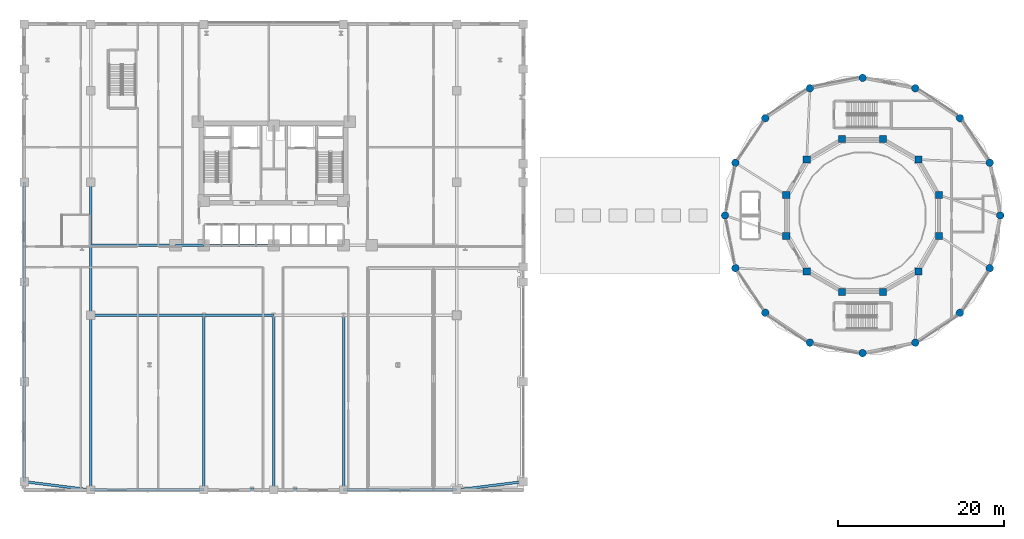
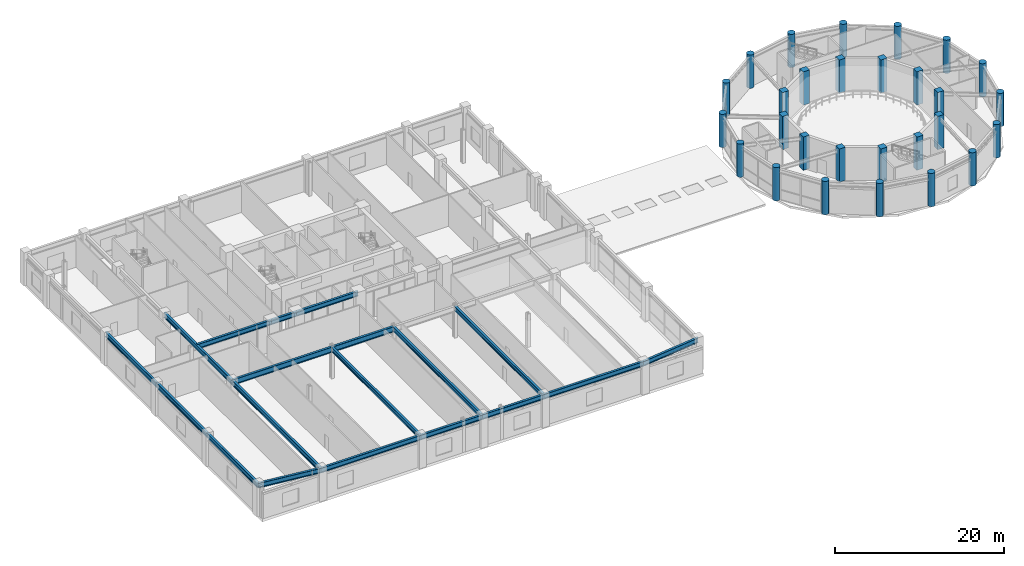
# One storey, part 2 of 34: 28 columns, 19 beams.
"""IFC4 building model written with IfcOpenShell, lengths in metres."""

from ifc_helpers import new_model, si_unit, derived_unit, direction, frame, origin, origin_2d, place, context, subcontext, project, spatial, rectangle, circle, i_section, extrude, source, transform, mapped, material, material_profile, profile_set, type_object, element, save


model = new_model("IFC4")

# Units and contexts
model_context = context("Model", 3, precision=1e-05, world=origin(), true_north=direction((0.0, 1.0)))
body_context = subcontext(model_context, "Body", "Model", "MODEL_VIEW")
ifc_project = project(units=[si_unit("LENGTHUNIT", "METRE"), si_unit("AREAUNIT", "SQUARE_METRE"), si_unit("VOLUMEUNIT", "CUBIC_METRE"), si_unit("PLANEANGLEUNIT", "RADIAN"), si_unit("MASSUNIT", "GRAM", prefix="KILO"), derived_unit("THERMALTRANSMITTANCEUNIT", [(si_unit("POWERUNIT", "WATT"), 1), (si_unit("LENGTHUNIT", "METRE"), -2), (si_unit("THERMODYNAMICTEMPERATUREUNIT", "KELVIN"), -1)])], contexts=[model_context])

# Site, building, storey
site_placement = place(None, origin())
site = spatial("IfcSite", under=ifc_project, at=site_placement, CompositionType="ELEMENT")
building_placement = place(site_placement, origin())
building = spatial("IfcBuilding", under=site, at=building_placement, Name="Korsvarv Bourse and Concert Hall", CompositionType="ELEMENT")
storey_placement = place(building_placement, frame((0.0, 0.0, 14.39990234375)))
storey = spatial("IfcBuildingStorey", under=building, at=storey_placement, Name="L03", CompositionType="ELEMENT", Elevation=14.39990234375)

# Columns
ifc_material_1 = material(Name="Concrete C50/60", Category="concrete")
ifc_material_profile_1 = material_profile(ifc_material_1, rectangle(XDim=0.85009765625, YDim=0.85009765625, at=origin_2d()), Name="RC 850x850")
ifc_profile_set_1 = profile_set([ifc_material_profile_1], Name="Concrete C50/60")
column_type_1 = type_object("IfcColumnType", Name="COL-RC850", PredefinedType="COLUMN", material=ifc_profile_set_1)
shared_shape_1 = source(origin(), body_context, "Body", "SweptSolid", [
    extrude(rectangle(XDim=0.85009765625, YDim=0.85009765625, at=origin_2d()), origin(), (0.0, 0.0, 1.0), 4.800048828125),
])
for number, where, z_axis, x_axis, name in (
    (1, (115.976318359375, 38.458740234375, 0.0), (0.0, 0.0, 1.0), (1.0, 0.0, 0.0), "L03 column C-04"),
    (2, (113.517578125, 42.717529296875, 0.0), (0.0, 0.0, 1.0), (1.0, 0.0, 0.0), "L03 column C-04"),
    (3, (109.2587890625, 45.17626953125, 0.0), (0.0, 0.0, 1.0), (1.0, 0.0, 0.0), "L03 column C-04"),
    (4, (104.34130859375, 45.17626953125, 0.0), (0.0, 0.0, 1.0), (1.0, 0.0, 0.0), "L03 column C-04"),
    (5, (100.08251953125, 42.717529296875, 0.0), (0.0, 0.0, 1.0), (1.0, 0.0, 0.0), "L03 column C-04"),
    (6, (97.623779296875, 38.458740234375, 0.0), (0.0, 0.0, 1.0), (1.0, 0.0, 0.0), "L03 column C-04"),
    (7, (97.623779296875, 33.541259765625, 0.0), (0.0, 0.0, 1.0), (1.0, 0.0, 0.0), "L03 column C-04"),
    (8, (100.08251953125, 29.282470703125, 0.0), (0.0, 0.0, 1.0), (1.0, 0.0, 0.0), "L03 column C-04"),
    (9, (104.34130859375, 26.82373046875, 0.0), (0.0, 0.0, 1.0), (1.0, 0.0, 0.0), "L03 column C-04"),
    (10, (109.2587890625, 26.82373046875, 0.0), (0.0, 0.0, 1.0), (1.0, 0.0, 0.0), "L03 column C-04"),
    (11, (113.517578125, 29.282470703125, 0.0), (0.0, 0.0, 1.0), (1.0, 0.0, 0.0), "L03 column C-04"),
    (12, (115.976318359375, 33.541259765625, 0.0), (0.0, 0.0, 1.0), (1.0, 0.0, 0.0), "L03 column C-04"),
):
    element("IfcColumn", number, at=place(storey_placement, frame(where, z_axis=z_axis, x_axis=x_axis)), inside=storey, type_object=column_type_1, Name=name, PredefinedType="COLUMN", context=body_context, shape_type="MappedRepresentation", body=[
        mapped(shared_shape_1, transform((0.0, 0.0, 0.0), scale=1.0)),
    ])
ifc_material_profile_2 = material_profile(ifc_material_1, circle(Radius=0.449951171875, at=origin_2d()), Name="RC-D900")
ifc_profile_set_2 = profile_set([ifc_material_profile_2], Name="Concrete C50/60")
column_type_2 = type_object("IfcColumnType", Name="COL-RCD900", PredefinedType="COLUMN", material=ifc_profile_set_2)
shared_shape_2 = source(origin(), body_context, "Body", "SweptSolid", [
    extrude(circle(Radius=0.449951171875, at=origin_2d()), origin(), (0.0, 0.0, 1.0), 4.800048828125),
])
for number, where, z_axis, x_axis, name in (
    (13, (123.35009765625, 36.0, 0.0), (0.0, 0.0, 1.0), (1.0, 0.0, 0.0), "L03 column C-06"),
    (14, (122.090087890625, 42.33349609375, 0.0), (0.0, 0.0, 1.0), (1.0, 0.0, 0.0), "L03 column C-06"),
    (15, (118.502685546875, 47.70263671875, 0.0), (0.0, 0.0, 1.0), (1.0, 0.0, 0.0), "L03 column C-06"),
    (16, (113.13330078125, 51.290283203125, 0.0), (0.0, 0.0, 1.0), (1.0, 0.0, 0.0), "L03 column C-06"),
    (17, (106.800048828125, 52.550048828125, 0.0), (0.0, 0.0, 1.0), (1.0, 0.0, 0.0), "L03 column C-06"),
    (18, (100.466552734375, 51.290283203125, 0.0), (0.0, 0.0, 1.0), (1.0, 0.0, 0.0), "L03 column C-06"),
    (19, (95.097412109375, 47.70263671875, 0.0), (0.0, 0.0, 1.0), (1.0, 0.0, 0.0), "L03 column C-06"),
    (20, (91.509765625, 42.33349609375, 0.0), (0.0, 0.0, 1.0), (1.0, 0.0, 0.0), "L03 column C-06"),
    (21, (90.25, 36.0, 0.0), (0.0, 0.0, 1.0), (1.0, 0.0, 0.0), "L03 column C-06"),
    (22, (91.509765625, 29.66650390625, 0.0), (0.0, 0.0, 1.0), (1.0, 0.0, 0.0), "L03 column C-06"),
    (23, (95.097412109375, 24.29736328125, 0.0), (0.0, 0.0, 1.0), (1.0, 0.0, 0.0), "L03 column C-06"),
    (24, (100.466552734375, 20.709716796875, 0.0), (0.0, 0.0, 1.0), (1.0, 0.0, 0.0), "L03 column C-06"),
    (25, (106.800048828125, 19.449951171875, 0.0), (0.0, 0.0, 1.0), (1.0, 0.0, 0.0), "L03 column C-06"),
    (26, (113.13330078125, 20.709716796875, 0.0), (0.0, 0.0, 1.0), (1.0, 0.0, 0.0), "L03 column C-06"),
    (27, (118.502685546875, 24.29736328125, 0.0), (0.0, 0.0, 1.0), (1.0, 0.0, 0.0), "L03 column C-06"),
    (28, (122.090087890625, 29.66650390625, 0.0), (0.0, 0.0, 1.0), (1.0, 0.0, 0.0), "L03 column C-06"),
):
    element("IfcColumn", number, at=place(storey_placement, frame(where, z_axis=z_axis, x_axis=x_axis)), inside=storey, type_object=column_type_2, Name=name, PredefinedType="COLUMN", context=body_context, shape_type="MappedRepresentation", body=[
        mapped(shared_shape_2, transform((0.0, 0.0, 0.0), scale=1.0)),
    ])

# Beams
ifc_material_2 = material(Name="Steel S355", Category="steel")
ifc_material_profile_3 = material_profile(ifc_material_2, i_section(OverallWidth=0.300048828125, OverallDepth=0.699951171875, WebThickness=0.01708984375, FlangeThickness=0.031982421875, FilletRadius=0.027099609375, at=origin_2d()), Name="HEB 700")
ifc_profile_set_3 = profile_set([ifc_material_profile_3], Name="Steel S355")
beam_type_1 = type_object("IfcBeamType", Name="BM-HEB700", PredefinedType="BEAM", material=ifc_profile_set_3)
shared_shape_3 = source(origin(), body_context, "Body", "SweptSolid", [
    extrude(i_section(OverallWidth=0.300048828125, OverallDepth=0.699951171875, WebThickness=0.01708984375, FlangeThickness=0.031982421875, FilletRadius=0.027099609375, at=origin_2d()), origin(), (0.0, 0.0, 1.0), 12.0),
])
for number, where, z_axis, x_axis, name in (
    (29, (6.0, 4.0, 4.170166015625), (0.0, 1.0, 0.0), (-1.0, 0.0, 0.0), "L03 beam B-03"),
    (30, (6.0, 16.0, 4.170166015625), (0.0, 1.0, 0.0), (-1.0, 0.0, 0.0), "L03 beam B-03"),
    (31, (6.0, 28.0, 4.170166015625), (0.0, 1.0, 0.0), (-1.0, 0.0, 0.0), "L03 beam B-03"),
):
    element("IfcBeam", number, at=place(storey_placement, frame(where, z_axis=z_axis, x_axis=x_axis)), inside=storey, type_object=beam_type_1, Name=name, PredefinedType="BEAM", context=body_context, shape_type="MappedRepresentation", body=[
        mapped(shared_shape_3, transform((0.0, 0.0, 0.0), scale=1.0)),
    ])
shared_shape_4 = source(origin(), body_context, "Body", "SweptSolid", [
    extrude(i_section(OverallWidth=0.300048828125, OverallDepth=0.699951171875, WebThickness=0.01708984375, FlangeThickness=0.031982421875, FilletRadius=0.027099609375, at=origin_2d()), origin(), (0.0, 0.0, 1.0), 13.60009765625),
])
for number, where, z_axis, x_axis, name in (
    (32, (14.0, 3.0, 4.170166015625), (1.0, 0.0, 0.0), (0.0, 1.0, 0.0), "L03 beam B-03"),
    (33, (44.39990234375, 3.0, 4.170166015625), (1.0, 0.0, 0.0), (0.0, 1.0, 0.0), "L03 beam B-03"),
):
    element("IfcBeam", number, at=place(storey_placement, frame(where, z_axis=z_axis, x_axis=x_axis)), inside=storey, type_object=beam_type_1, Name=name, PredefinedType="BEAM", context=body_context, shape_type="MappedRepresentation", body=[
        mapped(shared_shape_4, transform((0.0, 0.0, 0.0), scale=1.0)),
    ])
shared_shape_5 = source(origin(), body_context, "Body", "SweptSolid", [
    extrude(i_section(OverallWidth=0.300048828125, OverallDepth=0.699951171875, WebThickness=0.01708984375, FlangeThickness=0.031982421875, FilletRadius=0.027099609375, at=origin_2d()), origin(), (0.0, 0.0, 1.0), 8.062255859375),
])
for number, where, z_axis, x_axis, name in (
    (34, (6.0, 4.0, 4.170166015625), (0.992277876714, -0.124034734589, 0.0), (0.124034734589, 0.992277876714, 0.0), "L03 beam B-03"),
    (35, (58.0, 3.0, 4.170166015625), (0.992277876714, 0.124034734589, 0.0), (-0.124034734589, 0.992277876714, 0.0), "L03 beam B-03"),
):
    element("IfcBeam", number, at=place(storey_placement, frame(where, z_axis=z_axis, x_axis=x_axis)), inside=storey, type_object=beam_type_1, Name=name, PredefinedType="BEAM", context=body_context, shape_type="MappedRepresentation", body=[
        mapped(shared_shape_5, transform((0.0, 0.0, 0.0), scale=1.0)),
    ])
shared_shape_6 = source(origin(), body_context, "Body", "SweptSolid", [
    extrude(i_section(OverallWidth=0.300048828125, OverallDepth=0.699951171875, WebThickness=0.01708984375, FlangeThickness=0.031982421875, FilletRadius=0.027099609375, at=origin_2d()), origin(), (0.0, 0.0, 1.0), 8.39990234375),
])
for number, where, z_axis, x_axis, name in (
    (36, (27.60009765625, 3.0, 4.170166015625), (1.0, 0.0, 0.0), (0.0, 1.0, 0.0), "L03 beam B-03"),
    (37, (36.0, 3.0, 4.170166015625), (1.0, 0.0, 0.0), (0.0, 1.0, 0.0), "L03 beam B-03"),
    (38, (27.60009765625, 32.39990234375, 4.170166015625), (1.0, 0.0, 0.0), (0.0, 1.0, 0.0), "L03 beam B-03"),
):
    element("IfcBeam", number, at=place(storey_placement, frame(where, z_axis=z_axis, x_axis=x_axis)), inside=storey, type_object=beam_type_1, Name=name, PredefinedType="BEAM", context=body_context, shape_type="MappedRepresentation", body=[
        mapped(shared_shape_6, transform((0.0, 0.0, 0.0), scale=1.0)),
    ])
shared_shape_7 = source(origin(), body_context, "Body", "SweptSolid", [
    extrude(i_section(OverallWidth=0.300048828125, OverallDepth=0.699951171875, WebThickness=0.01708984375, FlangeThickness=0.031982421875, FilletRadius=0.027099609375, at=origin_2d()), origin(), (0.0, 0.0, 1.0), 21.0),
])
beam_1_placement = place(storey_placement, frame((14.0, 3.0, 4.170166015625), z_axis=(0.0, 1.0, 0.0), x_axis=(-1.0, 0.0, 0.0)))
element("IfcBeam", 39, at=beam_1_placement, inside=storey, type_object=beam_type_1, Name="L03 beam B-03", PredefinedType="BEAM", context=body_context, shape_type="MappedRepresentation", body=[
    mapped(shared_shape_7, transform((0.0, 0.0, 0.0), scale=1.0)),
])
shared_shape_8 = source(origin(), body_context, "Body", "SweptSolid", [
    extrude(i_section(OverallWidth=0.300048828125, OverallDepth=0.699951171875, WebThickness=0.01708984375, FlangeThickness=0.031982421875, FilletRadius=0.027099609375, at=origin_2d()), origin(), (0.0, 0.0, 1.0), 16.0),
])
beam_2_placement = place(storey_placement, frame((14.0, 24.0, 4.170166015625), z_axis=(0.0, 1.0, 0.0), x_axis=(-1.0, 0.0, 0.0)))
element("IfcBeam", 40, at=beam_2_placement, inside=storey, type_object=beam_type_1, Name="L03 beam B-03", PredefinedType="BEAM", context=body_context, shape_type="MappedRepresentation", body=[
    mapped(shared_shape_8, transform((0.0, 0.0, 0.0), scale=1.0)),
])
shared_shape_9 = source(origin(), body_context, "Body", "SweptSolid", [
    extrude(i_section(OverallWidth=0.300048828125, OverallDepth=0.699951171875, WebThickness=0.01708984375, FlangeThickness=0.031982421875, FilletRadius=0.027099609375, at=origin_2d()), origin(), (0.0, 0.0, 1.0), 10.199951171875),
])
beam_3_placement = place(storey_placement, frame((14.0, 32.39990234375, 4.170166015625), z_axis=(1.0, 0.0, 0.0), x_axis=(0.0, 1.0, 0.0)))
element("IfcBeam", 41, at=beam_3_placement, inside=storey, type_object=beam_type_1, Name="L03 beam B-03", PredefinedType="BEAM", context=body_context, shape_type="MappedRepresentation", body=[
    mapped(shared_shape_9, transform((0.0, 0.0, 0.0), scale=1.0)),
])
shared_shape_10 = source(origin(), body_context, "Body", "SweptSolid", [
    extrude(i_section(OverallWidth=0.300048828125, OverallDepth=0.699951171875, WebThickness=0.01708984375, FlangeThickness=0.031982421875, FilletRadius=0.027099609375, at=origin_2d()), origin(), (0.0, 0.0, 1.0), 3.400146484375),
])
beam_4_placement = place(storey_placement, frame((24.199951171875, 32.39990234375, 4.170166015625), z_axis=(1.0, 0.0, 0.0), x_axis=(0.0, 1.0, 0.0)))
element("IfcBeam", 42, at=beam_4_placement, inside=storey, type_object=beam_type_1, Name="L03 beam B-03", PredefinedType="BEAM", context=body_context, shape_type="MappedRepresentation", body=[
    mapped(shared_shape_10, transform((0.0, 0.0, 0.0), scale=1.0)),
])
ifc_material_3 = material(Name="Steel S460", Category="steel")
ifc_material_profile_4 = material_profile(ifc_material_3, i_section(OverallWidth=0.300048828125, OverallDepth=0.800048828125, WebThickness=0.017578125, FlangeThickness=0.032958984375, FilletRadius=0.027099609375, at=origin_2d()), Name="HEB 800")
ifc_profile_set_4 = profile_set([ifc_material_profile_4], Name="Steel S460")
beam_type_2 = type_object("IfcBeamType", Name="BM-HEB800", PredefinedType="BEAM", material=ifc_profile_set_4)
shared_shape_11 = source(origin(), body_context, "Body", "SweptSolid", [
    extrude(i_section(OverallWidth=0.300048828125, OverallDepth=0.800048828125, WebThickness=0.017578125, FlangeThickness=0.032958984375, FilletRadius=0.027099609375, at=origin_2d()), origin(), (0.0, 0.0, 1.0), 13.60009765625),
])
beam_5_placement = place(storey_placement, frame((14.0, 24.0, 4.1201171875), z_axis=(1.0, 0.0, 0.0), x_axis=(0.0, 1.0, 0.0)))
element("IfcBeam", 43, at=beam_5_placement, inside=storey, type_object=beam_type_2, Name="L03 beam B-02", PredefinedType="BEAM", context=body_context, shape_type="MappedRepresentation", body=[
    mapped(shared_shape_11, transform((0.0, 0.0, 0.0), scale=1.0)),
])
shared_shape_12 = source(origin(), body_context, "Body", "SweptSolid", [
    extrude(i_section(OverallWidth=0.300048828125, OverallDepth=0.800048828125, WebThickness=0.017578125, FlangeThickness=0.032958984375, FilletRadius=0.027099609375, at=origin_2d()), origin(), (0.0, 0.0, 1.0), 8.39990234375),
])
beam_6_placement = place(storey_placement, frame((27.60009765625, 24.0, 4.1201171875), z_axis=(1.0, 0.0, 0.0), x_axis=(0.0, 1.0, 0.0)))
element("IfcBeam", 44, at=beam_6_placement, inside=storey, type_object=beam_type_2, Name="L03 beam B-02", PredefinedType="BEAM", context=body_context, shape_type="MappedRepresentation", body=[
    mapped(shared_shape_12, transform((0.0, 0.0, 0.0), scale=1.0)),
])
ifc_material_profile_5 = material_profile(ifc_material_2, i_section(OverallWidth=0.300048828125, OverallDepth=0.64990234375, WebThickness=0.01611328125, FlangeThickness=0.031005859375, FilletRadius=0.027099609375, at=origin_2d()), Name="HEB 650")
ifc_profile_set_5 = profile_set([ifc_material_profile_5], Name="Steel S355")
beam_type_3 = type_object("IfcBeamType", Name="BM-HEB650", PredefinedType="BEAM", material=ifc_profile_set_5)
shared_shape_13 = source(origin(), body_context, "Body", "SweptSolid", [
    extrude(i_section(OverallWidth=0.300048828125, OverallDepth=0.64990234375, WebThickness=0.01611328125, FlangeThickness=0.031005859375, FilletRadius=0.027099609375, at=origin_2d()), origin(), (0.0, 0.0, 1.0), 21.0),
])
for number, where, z_axis, x_axis, name in (
    (45, (27.60009765625, 3.0, 4.195068359375), (0.0, 1.0, 0.0), (-1.0, 0.0, 0.0), "L03 beam B-04"),
    (46, (36.0, 3.0, 4.195068359375), (0.0, 1.0, 0.0), (-1.0, 0.0, 0.0), "L03 beam B-04"),
    (47, (44.39990234375, 3.0, 4.195068359375), (0.0, 1.0, 0.0), (-1.0, 0.0, 0.0), "L03 beam B-04"),
):
    element("IfcBeam", number, at=place(storey_placement, frame(where, z_axis=z_axis, x_axis=x_axis)), inside=storey, type_object=beam_type_3, Name=name, PredefinedType="BEAM", context=body_context, shape_type="MappedRepresentation", body=[
        mapped(shared_shape_13, transform((0.0, 0.0, 0.0), scale=1.0)),
    ])

save(model, "model.ifc")
